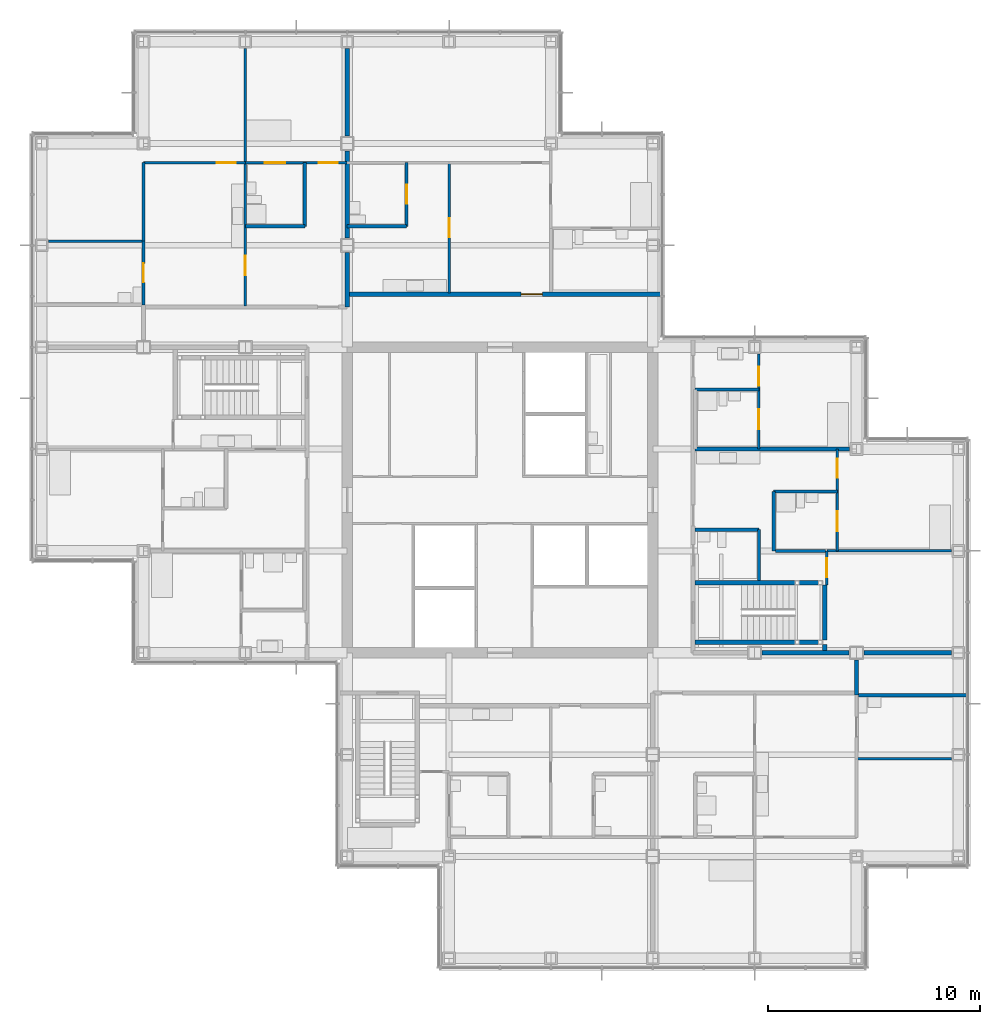
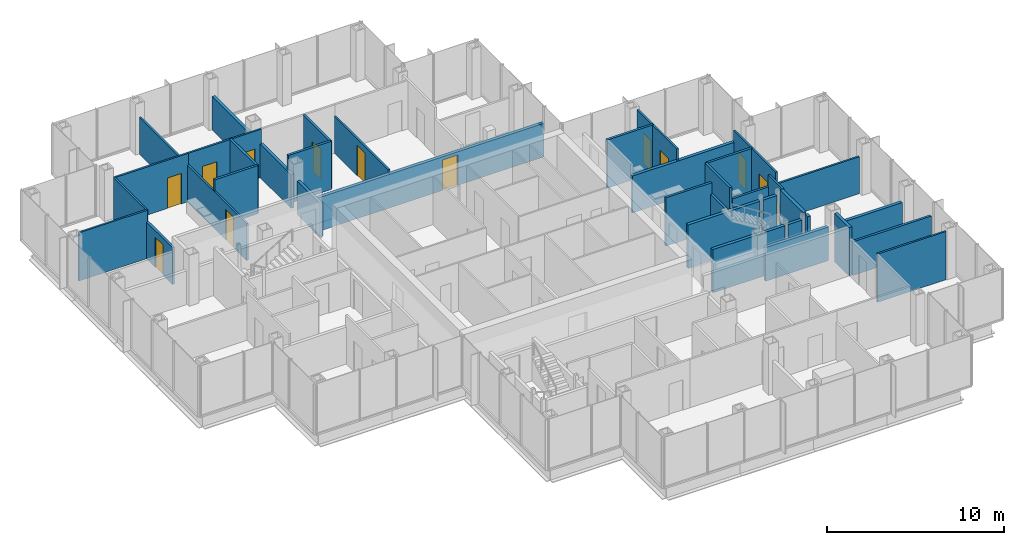
# One storey, part 16 of 20: 38 walls, 13 doors, 13 openings.
"""IFC4 building model written with IfcOpenShell, lengths in metres."""

from ifc_helpers import new_model, si_unit, direction, frame, frame_2d, origin, place, context, subcontext, project, spatial, rectangle, extrude, material, layer, layer_set, type_object, element, fill, save


model = new_model("IFC4")

# Units and contexts
model_context = context("Model", 3, precision=1e-05, world=origin(), true_north=direction((0.0, 1.0)))
body_context = subcontext(model_context, "Body", "Model", "MODEL_VIEW")
ifc_project = project(units=[si_unit("LENGTHUNIT", "METRE"), si_unit("AREAUNIT", "SQUARE_METRE"), si_unit("VOLUMEUNIT", "CUBIC_METRE"), si_unit("PLANEANGLEUNIT", "RADIAN"), si_unit("MASSUNIT", "GRAM", prefix="KILO")], contexts=[model_context])

# Site, building, storey
site_placement = place(None, origin())
site = spatial("IfcSite", under=ifc_project, at=site_placement, CompositionType="ELEMENT")
building_placement = place(site_placement, origin())
building = spatial("IfcBuilding", under=site, at=building_placement, Name="Kvirike Care Tower", CompositionType="ELEMENT")
storey_placement = place(building_placement, frame((0.0, 0.0, 126.0)))
storey = spatial("IfcBuildingStorey", under=building, at=storey_placement, Name="L34", CompositionType="ELEMENT", Elevation=126.0)

# Walls
ifc_material_1 = material(Name="Moisture-resistant board partition", Category="gypsum")
ifc_layer_1 = layer(ifc_material_1, 0.14990234375)
ifc_layer_set_1 = layer_set([ifc_layer_1], Name="BATHROOM WALL 150")
wall_type_1 = type_object("IfcWallType", Name="BATHROOM WALL 150", PredefinedType="PARTITIONING", material=ifc_layer_set_1)
wall_1_placement = place(storey_placement, frame((12.39990234375, 51.89990234375, 0.0), z_axis=(0.0, 0.0, 1.0), x_axis=(0.0, -1.0, 0.0)))
element("IfcWall", 1, at=wall_1_placement, inside=storey, type_object=wall_type_1, Name="Bathroom Wall 150 L34", PredefinedType="PARTITIONING", context=body_context, shape_type="SweptSolid", body=[
    extrude(rectangle(XDim=3.0, YDim=0.14990234375, at=frame_2d((1.5, 0.0))), origin(), (0.0, 0.0, 1.0), 3.330078125),
])
wall_2_placement = place(storey_placement, frame((12.39990234375, 48.89990234375, 0.0), z_axis=(0.0, 0.0, 1.0), x_axis=(-1.0, 0.0, 0.0)))
element("IfcWall", 2, at=wall_2_placement, inside=storey, type_object=wall_type_1, Name="Bathroom Wall 150 L34", PredefinedType="PARTITIONING", context=body_context, shape_type="SweptSolid", body=[
    extrude(rectangle(XDim=2.7998046875, YDim=0.14990234375, at=frame_2d((1.39990234375, 0.0))), origin(), (0.0, 0.0, 1.0), 3.330078125),
])

# Wall, opening, door
wall_3_placement = place(storey_placement, frame((4.800048828125, 48.199951171875, 0.0), z_axis=(0.0, 0.0, 1.0), x_axis=(0.0, -1.0, 0.0)))
wall_3 = element("IfcWall", 3, at=wall_3_placement, inside=storey, type_object=wall_type_1, Name="Bathroom Wall 150 L34", PredefinedType="PARTITIONING", context=body_context, shape_type="SweptSolid", body=[
    extrude(rectangle(XDim=3.0, YDim=0.14990234375, at=frame_2d((1.5, 0.0))), origin(), (0.0, 0.0, 1.0), 2.550048828125),
])
opening_1_placement = place(wall_3_placement, frame((1.050048828125, 0.0, 0.0)))
opening_1 = element("IfcOpeningElement", 4, at=opening_1_placement, cuts=wall_3, Name="Opening 34-010", PredefinedType="OPENING", context=body_context, shape_type="SweptSolid", body=[
    extrude(rectangle(XDim=0.89990234375, YDim=2.10009765625, at=frame_2d((0.449951171875, 1.050048828125))), frame((0.0, 0.08544921875, 0.0), z_axis=(0.0, -1.0, 0.0), x_axis=(1.0, 0.0, 0.0)), (0.0, 0.0, 1.0), 0.1708984375),
])
ifc_material_2 = material(Name="Timber door set", Category="wood")
door_type_1 = type_object("IfcDoorType", Name="BATHROOM DOOR 900", OperationType="SINGLE_SWING_RIGHT", PredefinedType="DOOR", material=ifc_material_2)
door_1_placement = place(opening_1_placement, frame((0.89990234375, 0.0, 0.0), z_axis=(0.0, 0.0, 1.0), x_axis=(-1.0, 0.0, 0.0)))
door_1 = element("IfcDoor", 5, at=door_1_placement, inside=storey, type_object=door_type_1, Name="Accessible WC door", OperationType="SINGLE_SWING_RIGHT", OverallHeight=2.10009765625, OverallWidth=0.89990234375, PredefinedType="DOOR", context=body_context, shape_type="SweptSolid", body=[
    extrude(rectangle(XDim=0.89990234375, YDim=2.10009765625, at=frame_2d((0.449951171875, 1.050048828125))), frame((0.0, 0.02197265625, 0.0), z_axis=(0.0, -1.0, 0.0), x_axis=(1.0, 0.0, 0.0)), (0.0, 0.0, 1.0), 0.0439453125),
])
fill(opening_1, door_1)

wall_4_placement = place(storey_placement, frame((17.199951171875, 51.89990234375, 0.0), z_axis=(0.0, 0.0, 1.0), x_axis=(0.0, -1.0, 0.0)))
wall_4 = element("IfcWall", 6, at=wall_4_placement, inside=storey, type_object=wall_type_1, Name="Bathroom Wall 150 L34", PredefinedType="PARTITIONING", context=body_context, shape_type="SweptSolid", body=[
    extrude(rectangle(XDim=3.0, YDim=0.14990234375, at=frame_2d((1.5, 0.0))), origin(), (0.0, 0.0, 1.0), 3.330078125),
])
opening_2_placement = place(wall_4_placement, frame((1.050048828125, 0.0, 0.0)))
opening_2 = element("IfcOpeningElement", 7, at=opening_2_placement, cuts=wall_4, Name="Opening 34-023", PredefinedType="OPENING", context=body_context, shape_type="SweptSolid", body=[
    extrude(rectangle(XDim=0.89990234375, YDim=2.10009765625, at=frame_2d((0.449951171875, 1.050048828125))), frame((0.0, 0.08544921875, 0.0), z_axis=(0.0, -1.0, 0.0), x_axis=(1.0, 0.0, 0.0)), (0.0, 0.0, 1.0), 0.1708984375),
])
door_2_placement = place(opening_2_placement, frame((0.89990234375, 0.0, 0.0), z_axis=(0.0, 0.0, 1.0), x_axis=(-1.0, 0.0, 0.0)))
door_2 = element("IfcDoor", 8, at=door_2_placement, inside=storey, type_object=door_type_1, Name="Accessible WC door", OperationType="SINGLE_SWING_LEFT", OverallHeight=2.10009765625, OverallWidth=0.89990234375, PredefinedType="DOOR", context=body_context, shape_type="SweptSolid", body=[
    extrude(rectangle(XDim=0.89990234375, YDim=2.10009765625, at=frame_2d((0.449951171875, 1.050048828125))), frame((0.0, 0.02197265625, 0.0), z_axis=(0.0, -1.0, 0.0), x_axis=(1.0, 0.0, 0.0)), (0.0, 0.0, 1.0), 0.0439453125),
])
fill(opening_2, door_2)

# Walls
wall_5_placement = place(storey_placement, frame((17.199951171875, 48.89990234375, 0.0), z_axis=(0.0, 0.0, 1.0), x_axis=(-1.0, 0.0, 0.0)))
element("IfcWall", 9, at=wall_5_placement, inside=storey, type_object=wall_type_1, Name="Bathroom Wall 150 L34", PredefinedType="PARTITIONING", context=body_context, shape_type="SweptSolid", body=[
    extrude(rectangle(XDim=2.800048828125, YDim=0.14990234375, at=frame_2d((1.39990234375, 0.0))), origin(), (0.0, 0.0, 1.0), 3.330078125),
])
wall_6_placement = place(storey_placement, frame((33.800048828125, 32.199951171875, 0.0), z_axis=(0.0, 0.0, 1.0), x_axis=(0.0, 1.0, 0.0)))
element("IfcWall", 10, at=wall_6_placement, inside=storey, type_object=wall_type_1, Name="Bathroom Wall 150 L34", PredefinedType="PARTITIONING", context=body_context, shape_type="SweptSolid", body=[
    extrude(rectangle(XDim=2.400146484375, YDim=0.14990234375, at=frame_2d((1.2001953125, 0.0))), origin(), (0.0, 0.0, 1.0), 2.550048828125),
])
for number, where, z_axis, x_axis, name in (
    (11, (33.800048828125, 34.60009765625, 0.0), (0.0, 0.0, 1.0), (-1.0, 0.0, 0.0), "Bathroom Wall 150 L34"),
    (12, (37.5, 36.39990234375, 0.0), (0.0, 0.0, 1.0), (-1.0, 0.0, 0.0), "Bathroom Wall 150 L34"),
):
    element("IfcWall", number, at=place(storey_placement, frame(where, z_axis=z_axis, x_axis=x_axis)), inside=storey, type_object=wall_type_1, Name=name, PredefinedType="PARTITIONING", context=body_context, shape_type="SweptSolid", body=[
        extrude(rectangle(XDim=3.0, YDim=0.14990234375, at=frame_2d((1.5, 0.0))), origin(), (0.0, 0.0, 1.0), 3.330078125),
    ])
wall_7_placement = place(storey_placement, frame((34.5, 33.60009765625, 0.0), z_axis=(0.0, 0.0, 1.0), x_axis=(0.0, 1.0, 0.0)))
element("IfcWall", 13, at=wall_7_placement, inside=storey, type_object=wall_type_1, Name="Bathroom Wall 150 L34", PredefinedType="PARTITIONING", context=body_context, shape_type="SweptSolid", body=[
    extrude(rectangle(XDim=2.7998046875, YDim=0.14990234375, at=frame_2d((1.39990234375, 0.0))), origin(), (0.0, 0.0, 1.0), 3.330078125),
])
wall_8_placement = place(storey_placement, frame((33.800048828125, 41.199951171875, 0.0), z_axis=(0.0, 0.0, 1.0), x_axis=(-1.0, 0.0, 0.0)))
element("IfcWall", 14, at=wall_8_placement, inside=storey, type_object=wall_type_1, Name="Bathroom Wall 150 L34", PredefinedType="PARTITIONING", context=body_context, shape_type="SweptSolid", body=[
    extrude(rectangle(XDim=3.0, YDim=0.14990234375, at=frame_2d((1.5, 0.0))), origin(), (0.0, 0.0, 1.0), 3.330078125),
])
wall_9_placement = place(storey_placement, frame((38.5, 26.800048828125, 0.0), z_axis=(0.0, 0.0, 1.0), x_axis=(1.0, 0.0, 0.0)))
element("IfcWall", 15, at=wall_9_placement, inside=storey, type_object=wall_type_1, Name="Bathroom Wall 150 L34", PredefinedType="PARTITIONING", context=body_context, shape_type="SweptSolid", body=[
    extrude(rectangle(XDim=5.139892578125, YDim=0.14990234375, at=frame_2d((2.56982421875, 0.0))), origin(), (0.0, 0.0, 1.0), 2.320068359375),
])
wall_10_placement = place(storey_placement, frame((36.93994140625, 33.60009765625, 0.0), z_axis=(0.0, 0.0, 1.0), x_axis=(-1.0, 0.0, 0.0)))
element("IfcWall", 16, at=wall_10_placement, inside=storey, type_object=wall_type_1, Name="Bathroom Wall 150 L34", PredefinedType="PARTITIONING", context=body_context, shape_type="SweptSolid", body=[
    extrude(rectangle(XDim=2.364990234375, YDim=0.14990234375, at=frame_2d((1.1826171875, 0.0))), origin(), (0.0, 0.0, 1.0), 2.550048828125),
])

# Wall, opening, door
ifc_material_3 = material(Name="Plasterboard corridor wall", Category="gypsum")
ifc_layer_2 = layer(ifc_material_3, 0.199951171875)
ifc_layer_set_2 = layer_set([ifc_layer_2], Name="CORRIDOR WALL 200")
wall_type_2 = type_object("IfcWallType", Name="CORRIDOR WALL 200", PredefinedType="PARTITIONING", material=ifc_layer_set_2)
wall_11_placement = place(storey_placement, frame((29.239990234375, 45.699951171875, 0.0), z_axis=(0.0, 0.0, 1.0), x_axis=(-1.0, 0.0, 0.0)))
wall_11 = element("IfcWall", 17, at=wall_11_placement, inside=storey, type_object=wall_type_2, Name="Corridor Wall 200 L34", PredefinedType="PARTITIONING", context=body_context, shape_type="SweptSolid", body=[
    extrude(rectangle(XDim=14.840087890625, YDim=0.199951171875, at=frame_2d((7.419921875, 0.0))), origin(), (0.0, 0.0, 1.0), 2.320068359375),
])
opening_3_placement = place(wall_11_placement, frame((5.639892578125, 0.0, 0.0)))
opening_3 = element("IfcOpeningElement", 18, at=opening_3_placement, cuts=wall_11, Name="Opening 34-028", PredefinedType="OPENING", context=body_context, shape_type="SweptSolid", body=[
    extrude(rectangle(XDim=1.0, YDim=2.10009765625, at=frame_2d((0.5, 1.050048828125))), frame((0.0, 0.110595703125, 0.0), z_axis=(0.0, -1.0, 0.0), x_axis=(1.0, 0.0, 0.0)), (0.0, 0.0, 1.0), 0.220947265625),
])
ifc_material_4 = material(Name="Timber door set", Category="wood")
door_type_2 = type_object("IfcDoorType", Name="FLAT ENTRANCE DOOR 1000", OperationType="SINGLE_SWING_LEFT", PredefinedType="DOOR", material=ifc_material_4)
door_3_placement = place(opening_3_placement, frame((1.0, 0.0, 0.0), z_axis=(0.0, 0.0, 1.0), x_axis=(-1.0, 0.0, 0.0)))
door_3 = element("IfcDoor", 19, at=door_3_placement, inside=storey, type_object=door_type_2, Name="Assisted living suite for couples entrance", OperationType="SINGLE_SWING_LEFT", OverallHeight=2.10009765625, OverallWidth=1.0, PredefinedType="DOOR", context=body_context, shape_type="SweptSolid", body=[
    extrude(rectangle(XDim=1.0, YDim=2.10009765625, at=frame_2d((0.5, 1.050048828125))), frame((0.0, 0.02685546875, 0.0), z_axis=(0.0, -1.0, 0.0), x_axis=(1.0, 0.0, 0.0)), (0.0, 0.0, 1.0), 0.053955078125),
])
fill(opening_3, door_3)

# Wall
wall_12_placement = place(storey_placement, frame((38.39990234375, 26.800048828125, 0.0), z_axis=(0.0, 0.0, 1.0), x_axis=(0.0, 1.0, 0.0)))
element("IfcWall", 20, at=wall_12_placement, inside=storey, type_object=wall_type_2, Name="Corridor Wall 200 L34", PredefinedType="PARTITIONING", context=body_context, shape_type="SweptSolid", body=[
    extrude(rectangle(XDim=1.655029296875, YDim=0.199951171875, at=frame_2d((0.82763671875, 0.0))), origin(), (0.0, 0.0, 1.0), 3.330078125),
])

# Wall, opening, door
ifc_material_5 = material(Name="Plasterboard partition", Category="gypsum")
ifc_layer_3 = layer(ifc_material_5, 0.1201171875)
ifc_layer_set_3 = layer_set([ifc_layer_3], Name="PARTITION 120")
wall_type_3 = type_object("IfcWallType", Name="PARTITION 120", PredefinedType="PARTITIONING", material=ifc_layer_set_3)
wall_13_placement = place(storey_placement, frame((9.60009765625, 51.89990234375, 0.0), z_axis=(0.0, 0.0, 1.0), x_axis=(0.0, -1.0, 0.0)))
wall_13 = element("IfcWall", 21, at=wall_13_placement, inside=storey, type_object=wall_type_3, Name="Partition 120 L34", PredefinedType="PARTITIONING", context=body_context, shape_type="SweptSolid", body=[
    extrude(rectangle(XDim=6.75, YDim=0.1201171875, at=frame_2d((3.375, 0.0))), origin(), (0.0, 0.0, 1.0), 2.550048828125),
])
opening_4_placement = place(wall_13_placement, frame((4.39990234375, 0.0, 0.0)))
opening_4 = element("IfcOpeningElement", 22, at=opening_4_placement, cuts=wall_13, Name="Opening 34-011", PredefinedType="OPENING", context=body_context, shape_type="SweptSolid", body=[
    extrude(rectangle(XDim=0.89990234375, YDim=2.10009765625, at=frame_2d((0.449951171875, 1.050048828125))), frame((0.0, 0.070556640625, 0.0), z_axis=(0.0, -1.0, 0.0), x_axis=(1.0, 0.0, 0.0)), (0.0, 0.0, 1.0), 0.14111328125),
])
ifc_material_6 = material(Name="Timber door set", Category="wood")
door_type_3 = type_object("IfcDoorType", Name="INTERNAL DOOR 900", OperationType="SINGLE_SWING_LEFT", PredefinedType="DOOR", material=ifc_material_6)
door_4_placement = place(opening_4_placement, origin())
door_4 = element("IfcDoor", 23, at=door_4_placement, inside=storey, type_object=door_type_3, Name="Hall door", OperationType="SINGLE_SWING_LEFT", OverallHeight=2.10009765625, OverallWidth=0.89990234375, PredefinedType="DOOR", context=body_context, shape_type="SweptSolid", body=[
    extrude(rectangle(XDim=0.89990234375, YDim=2.10009765625, at=frame_2d((0.449951171875, 1.050048828125))), frame((0.0, 0.02197265625, 0.0), z_axis=(0.0, -1.0, 0.0), x_axis=(1.0, 0.0, 0.0)), (0.0, 0.0, 1.0), 0.0439453125),
])
fill(opening_4, door_4)

# Wall, openings, doors
wall_14_placement = place(storey_placement, frame((14.39990234375, 51.89990234375, 0.0), z_axis=(0.0, 0.0, 1.0), x_axis=(-1.0, 0.0, 0.0)))
wall_14 = element("IfcWall", 24, at=wall_14_placement, inside=storey, type_object=wall_type_3, Name="Partition 120 L34", PredefinedType="PARTITIONING", context=body_context, shape_type="SweptSolid", body=[
    extrude(rectangle(XDim=4.7998046875, YDim=0.1201171875, at=frame_2d((2.39990234375, 0.0))), origin(), (0.0, 0.0, 1.0), 3.330078125),
])
opening_5_placement = place(wall_14_placement, frame((0.449951171875, 0.0, 0.0)))
opening_5 = element("IfcOpeningElement", 25, at=opening_5_placement, cuts=wall_14, Name="Opening 34-012", PredefinedType="OPENING", context=body_context, shape_type="SweptSolid", body=[
    extrude(rectangle(XDim=0.89990234375, YDim=2.10009765625, at=frame_2d((0.449951171875, 1.050048828125))), frame((0.0, 0.070556640625, 0.0), z_axis=(0.0, -1.0, 0.0), x_axis=(1.0, 0.0, 0.0)), (0.0, 0.0, 1.0), 0.14111328125),
])
opening_6_placement = place(wall_14_placement, frame((2.925048828125, 0.0, 0.0)))
opening_6 = element("IfcOpeningElement", 26, at=opening_6_placement, cuts=wall_14, Name="Opening 34-013", PredefinedType="OPENING", context=body_context, shape_type="SweptSolid", body=[
    extrude(rectangle(XDim=0.949951171875, YDim=2.10009765625, at=frame_2d((0.47509765625, 1.050048828125))), frame((0.0, 0.070556640625, 0.0), z_axis=(0.0, -1.0, 0.0), x_axis=(1.0, 0.0, 0.0)), (0.0, 0.0, 1.0), 0.14111328125),
])
ifc_material_7 = material(Name="Timber door set", Category="wood")
door_type_4 = type_object("IfcDoorType", Name="EN-SUITE SLIDING DOOR 950", OperationType="SLIDING_TO_LEFT", PredefinedType="DOOR", material=ifc_material_7)
door_5_placement = place(opening_6_placement, origin())
door_5 = element("IfcDoor", 27, at=door_5_placement, inside=storey, type_object=door_type_4, Name="En-suite door", OperationType="SLIDING_TO_RIGHT", OverallHeight=2.10009765625, OverallWidth=0.949951171875, PredefinedType="DOOR", context=body_context, shape_type="SweptSolid", body=[
    extrude(rectangle(XDim=0.949951171875, YDim=2.10009765625, at=frame_2d((0.47509765625, 1.050048828125))), frame((0.0, 0.02197265625, 0.0), z_axis=(0.0, -1.0, 0.0), x_axis=(1.0, 0.0, 0.0)), (0.0, 0.0, 1.0), 0.0439453125),
])
fill(opening_6, door_5)
door_6_placement = place(opening_5_placement, origin())
door_6 = element("IfcDoor", 28, at=door_6_placement, inside=storey, type_object=door_type_3, Name="Assisted living suite door", OperationType="SINGLE_SWING_RIGHT", OverallHeight=2.10009765625, OverallWidth=0.89990234375, PredefinedType="DOOR", context=body_context, shape_type="SweptSolid", body=[
    extrude(rectangle(XDim=0.89990234375, YDim=2.10009765625, at=frame_2d((0.449951171875, 1.050048828125))), frame((0.0, 0.02197265625, 0.0), z_axis=(0.0, -1.0, 0.0), x_axis=(1.0, 0.0, 0.0)), (0.0, 0.0, 1.0), 0.0439453125),
])
fill(opening_5, door_6)

# Wall, opening, door
wall_15_placement = place(storey_placement, frame((9.60009765625, 51.89990234375, 0.0), z_axis=(0.0, 0.0, 1.0), x_axis=(-1.0, 0.0, 0.0)))
wall_15 = element("IfcWall", 29, at=wall_15_placement, inside=storey, type_object=wall_type_3, Name="Partition 120 L34", PredefinedType="PARTITIONING", context=body_context, shape_type="SweptSolid", body=[
    extrude(rectangle(XDim=4.800048828125, YDim=0.1201171875, at=frame_2d((2.39990234375, 0.0))), origin(), (0.0, 0.0, 1.0), 3.330078125),
])
opening_7_placement = place(wall_15_placement, frame((0.449951171875, 0.0, 0.0)))
opening_7 = element("IfcOpeningElement", 30, at=opening_7_placement, cuts=wall_15, Name="Opening 34-014", PredefinedType="OPENING", context=body_context, shape_type="SweptSolid", body=[
    extrude(rectangle(XDim=0.89990234375, YDim=2.10009765625, at=frame_2d((0.449951171875, 1.050048828125))), frame((0.0, 0.070556640625, 0.0), z_axis=(0.0, -1.0, 0.0), x_axis=(1.0, 0.0, 0.0)), (0.0, 0.0, 1.0), 0.14111328125),
])
door_7_placement = place(opening_7_placement, origin())
door_7 = element("IfcDoor", 31, at=door_7_placement, inside=storey, type_object=door_type_3, Name="Suite sitting room door", OperationType="SINGLE_SWING_RIGHT", OverallHeight=2.10009765625, OverallWidth=0.89990234375, PredefinedType="DOOR", context=body_context, shape_type="SweptSolid", body=[
    extrude(rectangle(XDim=0.89990234375, YDim=2.10009765625, at=frame_2d((0.449951171875, 1.050048828125))), frame((0.0, 0.02197265625, 0.0), z_axis=(0.0, -1.0, 0.0), x_axis=(1.0, 0.0, 0.0)), (0.0, 0.0, 1.0), 0.0439453125),
])
fill(opening_7, door_7)

# Walls
wall_16_placement = place(storey_placement, frame((4.800048828125, 48.199951171875, 0.0), z_axis=(0.0, 0.0, 1.0), x_axis=(-1.0, 0.0, 0.0)))
element("IfcWall", 32, at=wall_16_placement, inside=storey, type_object=wall_type_3, Name="Partition 120 L34", PredefinedType="PARTITIONING", context=body_context, shape_type="SweptSolid", body=[
    extrude(rectangle(XDim=4.47998046875, YDim=0.1201171875, at=frame_2d((2.239990234375, 0.0))), origin(), (0.0, 0.0, 1.0), 3.330078125),
])
wall_17_placement = place(storey_placement, frame((9.60009765625, 57.280029296875, 0.0), z_axis=(0.0, 0.0, 1.0), x_axis=(0.0, -1.0, 0.0)))
element("IfcWall", 33, at=wall_17_placement, inside=storey, type_object=wall_type_3, Name="Partition 120 L34", PredefinedType="PARTITIONING", context=body_context, shape_type="SweptSolid", body=[
    extrude(rectangle(XDim=5.380126953125, YDim=0.1201171875, at=frame_2d((2.68994140625, 0.0))), origin(), (0.0, 0.0, 1.0), 2.550048828125),
])
wall_18_placement = place(storey_placement, frame((4.800048828125, 51.89990234375, 0.0), z_axis=(0.0, 0.0, 1.0), x_axis=(0.0, -1.0, 0.0)))
element("IfcWall", 34, at=wall_18_placement, inside=storey, type_object=wall_type_3, Name="Partition 120 L34", PredefinedType="PARTITIONING", context=body_context, shape_type="SweptSolid", body=[
    extrude(rectangle(XDim=3.699951171875, YDim=0.1201171875, at=frame_2d((1.85009765625, 0.0))), origin(), (0.0, 0.0, 1.0), 3.330078125),
])

# Wall, opening, door
wall_19_placement = place(storey_placement, frame((19.199951171875, 51.89990234375, 0.0), z_axis=(0.0, 0.0, 1.0), x_axis=(0.0, -1.0, 0.0)))
wall_19 = element("IfcWall", 35, at=wall_19_placement, inside=storey, type_object=wall_type_3, Name="Partition 120 L34", PredefinedType="PARTITIONING", context=body_context, shape_type="SweptSolid", body=[
    extrude(rectangle(XDim=6.14990234375, YDim=0.1201171875, at=frame_2d((3.074951171875, 0.0))), origin(), (0.0, 0.0, 1.0), 2.550048828125),
])
opening_8_placement = place(wall_19_placement, frame((2.625, 0.0, 0.0)))
opening_8 = element("IfcOpeningElement", 36, at=opening_8_placement, cuts=wall_19, Name="Opening 34-024", PredefinedType="OPENING", context=body_context, shape_type="SweptSolid", body=[
    extrude(rectangle(XDim=0.89990234375, YDim=2.10009765625, at=frame_2d((0.449951171875, 1.050048828125))), frame((0.0, 0.070556640625, 0.0), z_axis=(0.0, -1.0, 0.0), x_axis=(1.0, 0.0, 0.0)), (0.0, 0.0, 1.0), 0.14111328125),
])
door_8_placement = place(opening_8_placement, frame((0.89990234375, 0.0, 0.0), z_axis=(0.0, 0.0, 1.0), x_axis=(-1.0, 0.0, 0.0)))
door_8 = element("IfcDoor", 37, at=door_8_placement, inside=storey, type_object=door_type_3, Name="Hall door", OperationType="SINGLE_SWING_RIGHT", OverallHeight=2.10009765625, OverallWidth=0.89990234375, PredefinedType="DOOR", context=body_context, shape_type="SweptSolid", body=[
    extrude(rectangle(XDim=0.89990234375, YDim=2.10009765625, at=frame_2d((0.449951171875, 1.050048828125))), frame((0.0, 0.02197265625, 0.0), z_axis=(0.0, -1.0, 0.0), x_axis=(1.0, 0.0, 0.0)), (0.0, 0.0, 1.0), 0.0439453125),
])
fill(opening_8, door_8)

# Wall
wall_20_placement = place(storey_placement, frame((38.39990234375, 23.800048828125, 0.0), z_axis=(0.0, 0.0, 1.0), x_axis=(1.0, 0.0, 0.0)))
element("IfcWall", 38, at=wall_20_placement, inside=storey, type_object=wall_type_3, Name="Partition 120 L34", PredefinedType="PARTITIONING", context=body_context, shape_type="SweptSolid", body=[
    extrude(rectangle(XDim=4.47998046875, YDim=0.1201171875, at=frame_2d((2.239990234375, 0.0))), origin(), (0.0, 0.0, 1.0), 3.330078125),
])

# Wall, opening, door
wall_21_placement = place(storey_placement, frame((37.0, 32.0, 0.0), z_axis=(0.0, 0.0, 1.0), x_axis=(0.0, 1.0, 0.0)))
wall_21 = element("IfcWall", 39, at=wall_21_placement, inside=storey, type_object=wall_type_3, Name="Partition 120 L34", PredefinedType="PARTITIONING", context=body_context, shape_type="SweptSolid", body=[
    extrude(rectangle(XDim=1.60009765625, YDim=0.1201171875, at=frame_2d((0.800048828125, 0.0))), origin(), (0.0, 0.0, 1.0), 3.330078125),
])
opening_9_placement = place(wall_21_placement, frame((0.35009765625, 0.0, 0.0)))
opening_9 = element("IfcOpeningElement", 40, at=opening_9_placement, cuts=wall_21, Name="Opening 34-035", PredefinedType="OPENING", context=body_context, shape_type="SweptSolid", body=[
    extrude(rectangle(XDim=0.89990234375, YDim=2.10009765625, at=frame_2d((0.449951171875, 1.050048828125))), frame((0.0, 0.070556640625, 0.0), z_axis=(0.0, -1.0, 0.0), x_axis=(1.0, 0.0, 0.0)), (0.0, 0.0, 1.0), 0.14111328125),
])
door_9_placement = place(opening_9_placement, origin())
door_9 = element("IfcDoor", 41, at=door_9_placement, inside=storey, type_object=door_type_3, Name="Suite sitting room door", OperationType="SINGLE_SWING_RIGHT", OverallHeight=2.10009765625, OverallWidth=0.89990234375, PredefinedType="DOOR", context=body_context, shape_type="SweptSolid", body=[
    extrude(rectangle(XDim=0.89990234375, YDim=2.10009765625, at=frame_2d((0.449951171875, 1.050048828125))), frame((0.0, 0.02197265625, 0.0), z_axis=(0.0, -1.0, 0.0), x_axis=(1.0, 0.0, 0.0)), (0.0, 0.0, 1.0), 0.0439453125),
])
fill(opening_9, door_9)

# Wall, openings, doors
wall_22_placement = place(storey_placement, frame((37.5, 33.60009765625, 0.0), z_axis=(0.0, 0.0, 1.0), x_axis=(0.0, 1.0, 0.0)))
wall_22 = element("IfcWall", 42, at=wall_22_placement, inside=storey, type_object=wall_type_3, Name="Partition 120 L34", PredefinedType="PARTITIONING", context=body_context, shape_type="SweptSolid", body=[
    extrude(rectangle(XDim=4.7998046875, YDim=0.1201171875, at=frame_2d((2.39990234375, 0.0))), origin(), (0.0, 0.0, 1.0), 3.330078125),
])
opening_10_placement = place(wall_22_placement, frame((3.449951171875, 0.0, 0.0)))
opening_10 = element("IfcOpeningElement", 43, at=opening_10_placement, cuts=wall_22, Name="Opening 34-036", PredefinedType="OPENING", context=body_context, shape_type="SweptSolid", body=[
    extrude(rectangle(XDim=0.89990234375, YDim=2.10009765625, at=frame_2d((0.449951171875, 1.050048828125))), frame((0.0, 0.070556640625, 0.0), z_axis=(0.0, -1.0, 0.0), x_axis=(1.0, 0.0, 0.0)), (0.0, 0.0, 1.0), 0.14111328125),
])
opening_11_placement = place(wall_22_placement, frame((0.925048828125, 0.0, 0.0)))
opening_11 = element("IfcOpeningElement", 44, at=opening_11_placement, cuts=wall_22, Name="Opening 34-037", PredefinedType="OPENING", context=body_context, shape_type="SweptSolid", body=[
    extrude(rectangle(XDim=0.949951171875, YDim=2.10009765625, at=frame_2d((0.47509765625, 1.050048828125))), frame((0.0, 0.070556640625, 0.0), z_axis=(0.0, -1.0, 0.0), x_axis=(1.0, 0.0, 0.0)), (0.0, 0.0, 1.0), 0.14111328125),
])
door_10_placement = place(opening_11_placement, origin())
door_10 = element("IfcDoor", 45, at=door_10_placement, inside=storey, type_object=door_type_4, Name="En-suite door", OperationType="SLIDING_TO_RIGHT", OverallHeight=2.10009765625, OverallWidth=0.949951171875, PredefinedType="DOOR", context=body_context, shape_type="SweptSolid", body=[
    extrude(rectangle(XDim=0.949951171875, YDim=2.10009765625, at=frame_2d((0.47509765625, 1.050048828125))), frame((0.0, 0.02197265625, 0.0), z_axis=(0.0, -1.0, 0.0), x_axis=(1.0, 0.0, 0.0)), (0.0, 0.0, 1.0), 0.0439453125),
])
fill(opening_11, door_10)
door_11_placement = place(opening_10_placement, origin())
door_11 = element("IfcDoor", 46, at=door_11_placement, inside=storey, type_object=door_type_3, Name="Assisted living suite door", OperationType="SINGLE_SWING_LEFT", OverallHeight=2.10009765625, OverallWidth=0.89990234375, PredefinedType="DOOR", context=body_context, shape_type="SweptSolid", body=[
    extrude(rectangle(XDim=0.89990234375, YDim=2.10009765625, at=frame_2d((0.449951171875, 1.050048828125))), frame((0.0, 0.02197265625, 0.0), z_axis=(0.0, -1.0, 0.0), x_axis=(1.0, 0.0, 0.0)), (0.0, 0.0, 1.0), 0.0439453125),
])
fill(opening_10, door_11)

# Wall
wall_23_placement = place(storey_placement, frame((42.8798828125, 33.60009765625, 0.0), z_axis=(0.0, 0.0, 1.0), x_axis=(-1.0, 0.0, 0.0)))
element("IfcWall", 47, at=wall_23_placement, inside=storey, type_object=wall_type_3, Name="Partition 120 L34", PredefinedType="PARTITIONING", context=body_context, shape_type="SweptSolid", body=[
    extrude(rectangle(XDim=5.8798828125, YDim=0.1201171875, at=frame_2d((2.93994140625, 0.0))), origin(), (0.0, 0.0, 1.0), 2.550048828125),
])

# Wall, openings, doors
wall_24_placement = place(storey_placement, frame((33.800048828125, 38.39990234375, 0.0), z_axis=(0.0, 0.0, 1.0), x_axis=(0.0, 1.0, 0.0)))
wall_24 = element("IfcWall", 48, at=wall_24_placement, inside=storey, type_object=wall_type_3, Name="Partition 120 L34", PredefinedType="PARTITIONING", context=body_context, shape_type="SweptSolid", body=[
    extrude(rectangle(XDim=4.47998046875, YDim=0.1201171875, at=frame_2d((2.239990234375, 0.0))), origin(), (0.0, 0.0, 1.0), 3.330078125),
])
opening_12_placement = place(wall_24_placement, frame((2.97509765625, 0.0, 0.0)))
opening_12 = element("IfcOpeningElement", 49, at=opening_12_placement, cuts=wall_24, Name="Opening 34-038", PredefinedType="OPENING", context=body_context, shape_type="SweptSolid", body=[
    extrude(rectangle(XDim=0.89990234375, YDim=2.10009765625, at=frame_2d((0.449951171875, 1.050048828125))), frame((0.0, 0.070556640625, 0.0), z_axis=(0.0, -1.0, 0.0), x_axis=(1.0, 0.0, 0.0)), (0.0, 0.0, 1.0), 0.14111328125),
])
opening_13_placement = place(wall_24_placement, frame((0.925048828125, 0.0, 0.0)))
opening_13 = element("IfcOpeningElement", 50, at=opening_13_placement, cuts=wall_24, Name="Opening 34-039", PredefinedType="OPENING", context=body_context, shape_type="SweptSolid", body=[
    extrude(rectangle(XDim=0.949951171875, YDim=2.10009765625, at=frame_2d((0.47509765625, 1.050048828125))), frame((0.0, 0.070556640625, 0.0), z_axis=(0.0, -1.0, 0.0), x_axis=(1.0, 0.0, 0.0)), (0.0, 0.0, 1.0), 0.14111328125),
])
door_12_placement = place(opening_13_placement, origin())
door_12 = element("IfcDoor", 51, at=door_12_placement, inside=storey, type_object=door_type_4, Name="En-suite door", OperationType="SLIDING_TO_LEFT", OverallHeight=2.10009765625, OverallWidth=0.949951171875, PredefinedType="DOOR", context=body_context, shape_type="SweptSolid", body=[
    extrude(rectangle(XDim=0.949951171875, YDim=2.10009765625, at=frame_2d((0.47509765625, 1.050048828125))), frame((0.0, 0.02197265625, 0.0), z_axis=(0.0, -1.0, 0.0), x_axis=(1.0, 0.0, 0.0)), (0.0, 0.0, 1.0), 0.0439453125),
])
fill(opening_13, door_12)
door_13_placement = place(opening_12_placement, origin())
door_13 = element("IfcDoor", 52, at=door_13_placement, inside=storey, type_object=door_type_3, Name="Assisted living suite door", OperationType="SINGLE_SWING_RIGHT", OverallHeight=2.10009765625, OverallWidth=0.89990234375, PredefinedType="DOOR", context=body_context, shape_type="SweptSolid", body=[
    extrude(rectangle(XDim=0.89990234375, YDim=2.10009765625, at=frame_2d((0.449951171875, 1.050048828125))), frame((0.0, 0.02197265625, 0.0), z_axis=(0.0, -1.0, 0.0), x_axis=(1.0, 0.0, 0.0)), (0.0, 0.0, 1.0), 0.0439453125),
])
fill(opening_12, door_13)

# Walls
ifc_material_8 = material(Name="Plasterboard party wall", Category="gypsum")
ifc_layer_4 = layer(ifc_material_8, 0.199951171875)
ifc_layer_set_4 = layer_set([ifc_layer_4], Name="PARTY WALL 200")
wall_type_4 = type_object("IfcWallType", Name="PARTY WALL 200", PredefinedType="PARTITIONING", material=ifc_layer_set_4)
wall_25_placement = place(storey_placement, frame((38.080078125, 38.39990234375, 0.0), z_axis=(0.0, 0.0, 1.0), x_axis=(-1.0, 0.0, 0.0)))
element("IfcWall", 53, at=wall_25_placement, inside=storey, type_object=wall_type_4, Name="Party Wall 200 L34", PredefinedType="PARTITIONING", context=body_context, shape_type="SweptSolid", body=[
    extrude(rectangle(XDim=7.280029296875, YDim=0.199951171875, at=frame_2d((3.64013671875, 0.0))), origin(), (0.0, 0.0, 1.0), 2.550048828125),
])
wall_26_placement = place(storey_placement, frame((14.39990234375, 45.10009765625, 0.0), z_axis=(0.0, 0.0, 1.0), x_axis=(0.0, 1.0, 0.0)))
element("IfcWall", 54, at=wall_26_placement, inside=storey, type_object=wall_type_4, Name="Party Wall 200 L34", PredefinedType="PARTITIONING", context=body_context, shape_type="SweptSolid", body=[
    extrude(rectangle(XDim=2.554931640625, YDim=0.199951171875, at=frame_2d((1.27734375, 0.0))), origin(), (0.0, 0.0, 1.0), 2.320068359375),
])
wall_27_placement = place(storey_placement, frame((14.39990234375, 48.344970703125, 0.0), z_axis=(0.0, 0.0, 1.0), x_axis=(0.0, 1.0, 0.0)))
element("IfcWall", 55, at=wall_27_placement, inside=storey, type_object=wall_type_4, Name="Party Wall 200 L34", PredefinedType="PARTITIONING", context=body_context, shape_type="SweptSolid", body=[
    extrude(rectangle(XDim=4.110107421875, YDim=0.199951171875, at=frame_2d((2.05517578125, 0.0))), origin(), (0.0, 0.0, 1.0), 2.320068359375),
])
wall_28_placement = place(storey_placement, frame((14.39990234375, 53.14501953125, 0.0), z_axis=(0.0, 0.0, 1.0), x_axis=(0.0, 1.0, 0.0)))
element("IfcWall", 56, at=wall_28_placement, inside=storey, type_object=wall_type_4, Name="Party Wall 200 L34", PredefinedType="PARTITIONING", context=body_context, shape_type="SweptSolid", body=[
    extrude(rectangle(XDim=4.135009765625, YDim=0.199951171875, at=frame_2d((2.0673828125, 0.0))), origin(), (0.0, 0.0, 1.0), 2.320068359375),
])
wall_29_placement = place(storey_placement, frame((42.8798828125, 28.800048828125, 0.0), z_axis=(0.0, 0.0, 1.0), x_axis=(-1.0, 0.0, 0.0)))
element("IfcWall", 57, at=wall_29_placement, inside=storey, type_object=wall_type_4, Name="Party Wall 200 L34", PredefinedType="PARTITIONING", context=body_context, shape_type="SweptSolid", body=[
    extrude(rectangle(XDim=4.134765625, YDim=0.199951171875, at=frame_2d((2.0673828125, 0.0))), origin(), (0.0, 0.0, 1.0), 2.320068359375),
])
wall_30_placement = place(storey_placement, frame((38.054931640625, 28.800048828125, 0.0), z_axis=(0.0, 0.0, 1.0), x_axis=(-1.0, 0.0, 0.0)))
element("IfcWall", 58, at=wall_30_placement, inside=storey, type_object=wall_type_4, Name="Party Wall 200 L34", PredefinedType="PARTITIONING", context=body_context, shape_type="SweptSolid", body=[
    extrude(rectangle(XDim=4.10986328125, YDim=0.199951171875, at=frame_2d((2.054931640625, 0.0))), origin(), (0.0, 0.0, 1.0), 2.320068359375),
])
ifc_material_9 = material(Name="Concrete C40/50", Category="concrete")
ifc_layer_5 = layer(ifc_material_9, 0.199951171875)
ifc_layer_set_5 = layer_set([ifc_layer_5], Name="STAIR WALL 200")
wall_type_5 = type_object("IfcWallType", Name="STAIR WALL 200", PredefinedType="SOLIDWALL", material=ifc_layer_set_5)
wall_31_placement = place(storey_placement, frame((36.60009765625, 29.300048828125, 0.0), z_axis=(0.0, 0.0, 1.0), x_axis=(-1.0, 0.0, 0.0)))
element("IfcWall", 59, at=wall_31_placement, inside=storey, type_object=wall_type_5, Name="Stair Wall 200 L34", PredefinedType="SOLIDWALL", context=body_context, shape_type="SweptSolid", body=[
    extrude(rectangle(XDim=0.900146484375, YDim=0.199951171875, at=frame_2d((0.4501953125, 0.0))), origin(), (0.0, 0.0, 1.0), 2.989990234375),
])
wall_32_placement = place(storey_placement, frame((35.5, 29.300048828125, 0.0), z_axis=(0.0, 0.0, 1.0), x_axis=(-1.0, 0.0, 0.0)))
element("IfcWall", 60, at=wall_32_placement, inside=storey, type_object=wall_type_5, Name="Stair Wall 200 L34", PredefinedType="SOLIDWALL", context=body_context, shape_type="SweptSolid", body=[
    extrude(rectangle(XDim=4.699951171875, YDim=0.199951171875, at=frame_2d((2.35009765625, 0.0))), origin(), (0.0, 0.0, 1.0), 2.989990234375),
])
wall_33_placement = place(storey_placement, frame((36.60009765625, 32.10009765625, 0.0), z_axis=(0.0, 0.0, 1.0), x_axis=(-1.0, 0.0, 0.0)))
element("IfcWall", 61, at=wall_33_placement, inside=storey, type_object=wall_type_5, Name="Stair Wall 200 L34", PredefinedType="SOLIDWALL", context=body_context, shape_type="SweptSolid", body=[
    extrude(rectangle(XDim=0.900146484375, YDim=0.199951171875, at=frame_2d((0.4501953125, 0.0))), origin(), (0.0, 0.0, 1.0), 2.989990234375),
])
wall_34_placement = place(storey_placement, frame((35.5, 32.10009765625, 0.0), z_axis=(0.0, 0.0, 1.0), x_axis=(-1.0, 0.0, 0.0)))
element("IfcWall", 62, at=wall_34_placement, inside=storey, type_object=wall_type_5, Name="Stair Wall 200 L34", PredefinedType="SOLIDWALL", context=body_context, shape_type="SweptSolid", body=[
    extrude(rectangle(XDim=4.699951171875, YDim=0.199951171875, at=frame_2d((2.35009765625, 0.0))), origin(), (0.0, 0.0, 1.0), 2.989990234375),
])
wall_35_placement = place(storey_placement, frame((36.89990234375, 28.89990234375, 0.0), z_axis=(0.0, 0.0, 1.0), x_axis=(0.0, 1.0, 0.0)))
element("IfcWall", 63, at=wall_35_placement, inside=storey, type_object=wall_type_5, Name="Stair Wall 200 L34", PredefinedType="SOLIDWALL", context=body_context, shape_type="SweptSolid", body=[
    extrude(rectangle(XDim=0.300048828125, YDim=0.199951171875, at=frame_2d((0.14990234375, 0.0))), origin(), (0.0, 0.0, 1.0), 3.330078125),
])
wall_36_placement = place(storey_placement, frame((36.89990234375, 29.39990234375, 0.0), z_axis=(0.0, 0.0, 1.0), x_axis=(0.0, 1.0, 0.0)))
element("IfcWall", 64, at=wall_36_placement, inside=storey, type_object=wall_type_5, Name="Stair Wall 200 L34", PredefinedType="SOLIDWALL", context=body_context, shape_type="SweptSolid", body=[
    extrude(rectangle(XDim=2.60009765625, YDim=0.199951171875, at=frame_2d((1.300048828125, 0.0))), origin(), (0.0, 0.0, 1.0), 3.330078125),
])

save(model, "model.ifc")
